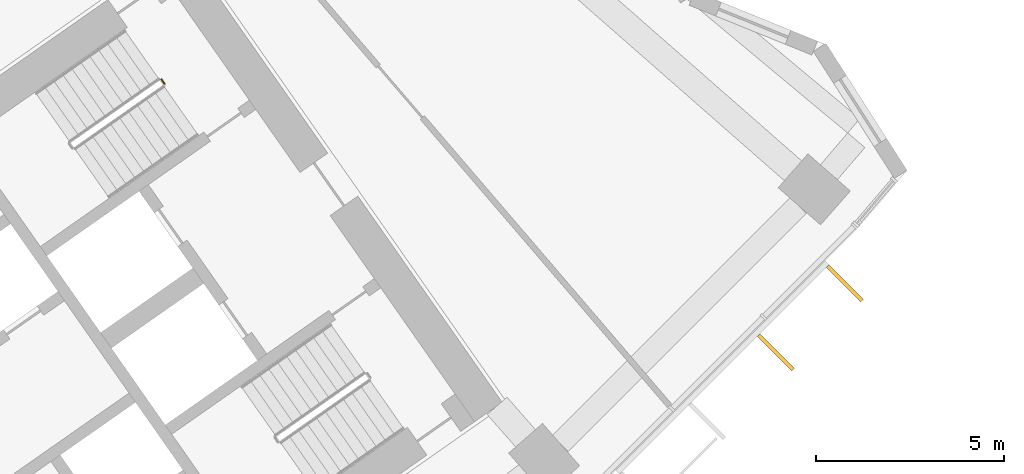
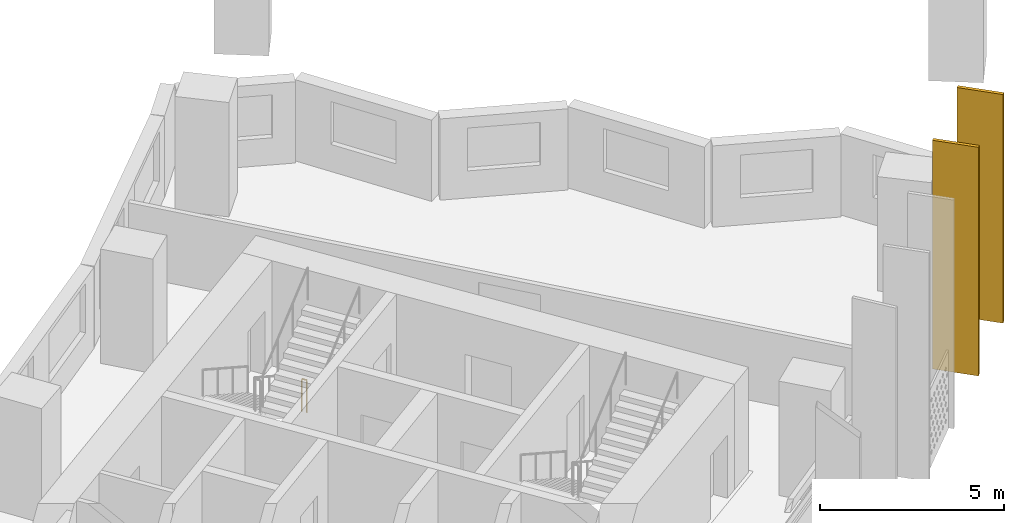
# One storey, part 30 of 30: 2 shading devices, 1 railing.
"""IFC4 building model written with IfcOpenShell, lengths in metres."""

from ifc_helpers import new_model, si_unit, direction, frame, origin, origin_2d, place, context, subcontext, project, spatial, rectangle, circle, extrude, material, material_profile, profile_set, type_object, element, save


model = new_model("IFC4")

# Units and contexts
model_context = context("Model", 3, precision=1e-05, world=origin(), true_north=direction((0.0, 1.0)))
body_context = subcontext(model_context, "Body", "Model", "MODEL_VIEW")
ifc_project = project(units=[si_unit("LENGTHUNIT", "METRE"), si_unit("AREAUNIT", "SQUARE_METRE"), si_unit("VOLUMEUNIT", "CUBIC_METRE"), si_unit("PLANEANGLEUNIT", "RADIAN"), si_unit("MASSUNIT", "GRAM", prefix="KILO")], contexts=[model_context])

# Site, building, storey
site_placement = place(None, origin())
site = spatial("IfcSite", under=ifc_project, at=site_placement, CompositionType="ELEMENT")
building_placement = place(site_placement, origin())
building = spatial("IfcBuilding", under=site, at=building_placement, Name="Qamariyya Broadcast Tower", CompositionType="ELEMENT")
storey_placement = place(building_placement, frame((0.0, 0.0, 102.5)))
storey = spatial("IfcBuildingStorey", under=building, at=storey_placement, Name="L22", CompositionType="ELEMENT", Elevation=102.5)

# Railing
ifc_material_1 = material(Name="Painted steel", Category="steel")
railing_type = type_object("IfcRailingType", Name="Stair guard", PredefinedType="GUARDRAIL", material=ifc_material_1)
railing_placement = place(storey_placement, frame((41.072998046875, -48.332275390625, 0.0)))
element("IfcRailing", 1, at=railing_placement, inside=storey, type_object=railing_type, Name="L22 ST-E2 stair guard 3", PredefinedType="GUARDRAIL", context=body_context, shape_type="SweptSolid", body=[
    extrude(circle(Radius=0.02392578125, at=origin_2d()), frame((0.0, 0.0, 1.076171875), z_axis=(0.572588637393, -0.819842821722, 0.0), x_axis=(0.819842821722, 0.572588637393, 0.0)), (0.0, 0.0, 1.0), 0.150146484375),
    extrude(circle(Radius=0.02099609375, at=origin_2d()), origin(), (0.0, 0.0, 1.0), 1.052001953125),
    extrude(circle(Radius=0.02099609375, at=origin_2d()), frame((0.0859375, -0.123046875, 0.0)), (0.0, 0.0, 1.0), 1.052001953125),
])

# Shading devices
ifc_material_2 = material(Name="Glazed terracotta", Category="masonry")
ifc_material_profile = material_profile(ifc_material_2, rectangle(XDim=1.300048828125, YDim=0.10009765625, at=origin_2d()))
ifc_profile_set = profile_set([ifc_material_profile], Name="Glazed terracotta")
shading_device_type = type_object("IfcShadingDeviceType", Name="Terracotta fin 100 x 1300", PredefinedType="USERDEFINED", material=ifc_profile_set)
for number, where, z_axis, x_axis, name in (
    (2, (57.43603515625, -55.602294921875, 0.0), (0.0, 0.0, 1.0), (0.707106781187, -0.707106781187, 0.0), "e-fin-L22-15-2"),
    (3, (59.269775390625, -53.7685546875, 0.0), (0.0, 0.0, 1.0), (0.707106781187, -0.707106781187, 0.0), "e-fin-L22-15-3"),
):
    element("IfcShadingDevice", number, at=place(storey_placement, frame(where, z_axis=z_axis, x_axis=x_axis)), inside=storey, type_object=shading_device_type, Name=name, ObjectType="FIN", PredefinedType="USERDEFINED", context=body_context, shape_type="SweptSolid", body=[
        extrude(rectangle(XDim=1.300048828125, YDim=0.10009765625, at=origin_2d()), origin(), (0.0, 0.0, 1.0), 7.60009765625),
    ])

save(model, "model.ifc")
